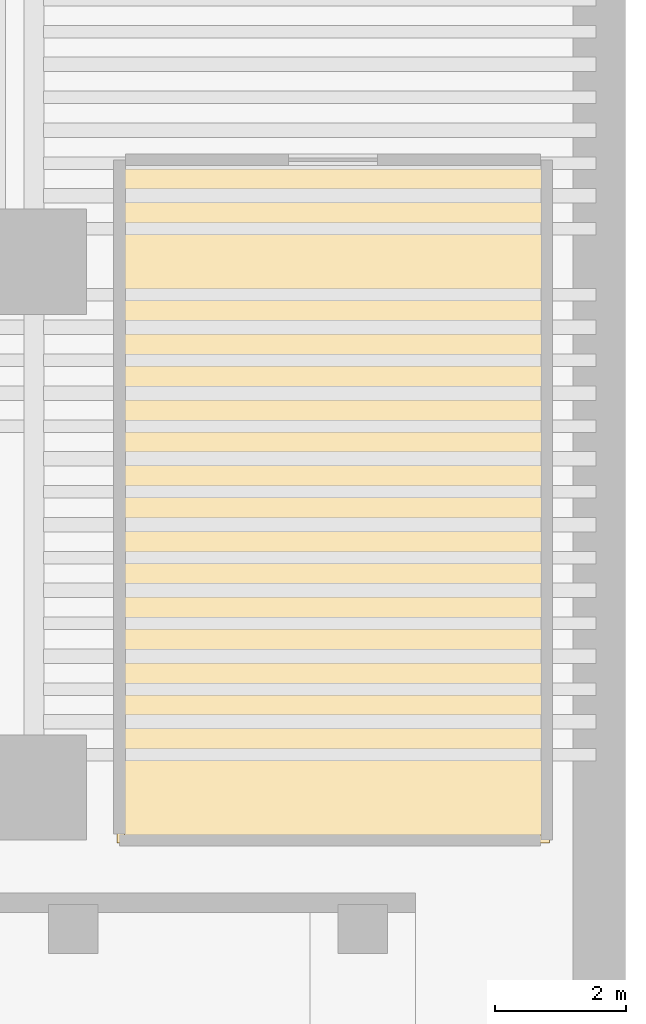
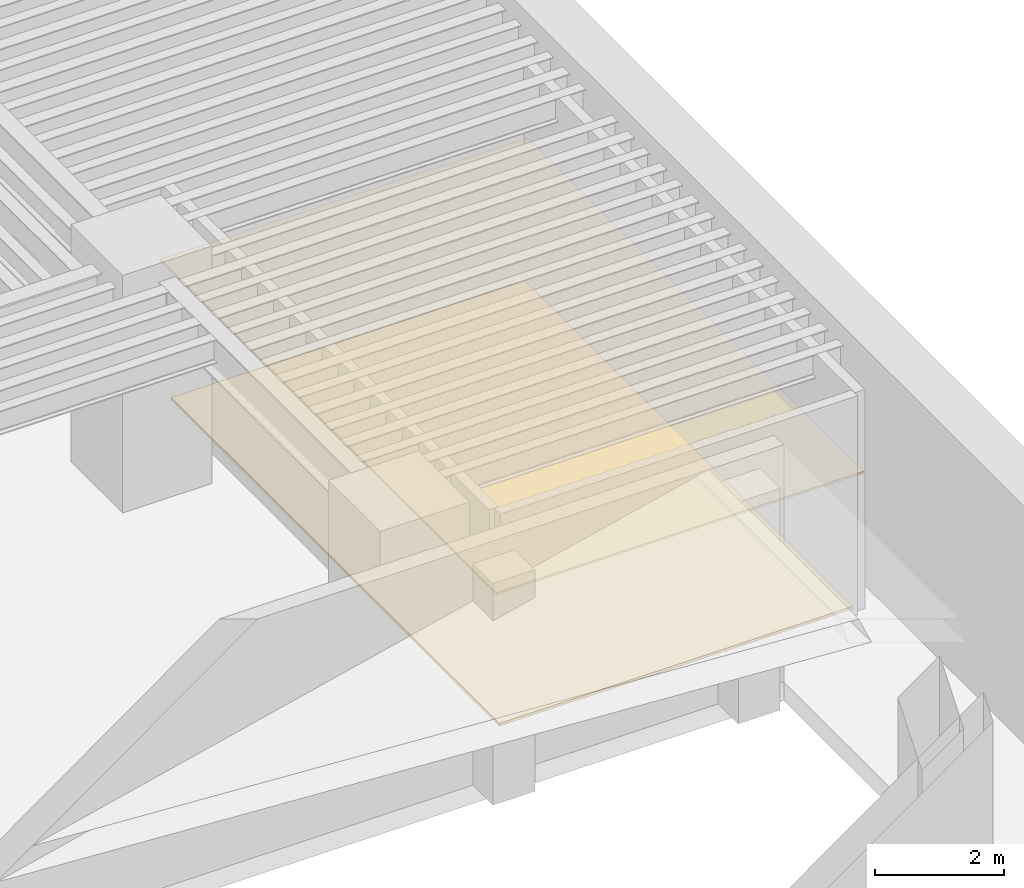
# One storey, part 7 of 9: 2 coverings.
"""IFC4 building model written with IfcOpenShell, lengths in metres."""

from ifc_helpers import new_model, si_unit, direction, frame, origin, place, context, subcontext, project, spatial, polyline, outline, extrude, material, layer, layer_set, type_object, element, save


model = new_model("IFC4")

# Units and contexts
model_context = context("Model", 3, precision=1e-05, world=origin(), true_north=direction((0.0, 1.0)))
body_context = subcontext(model_context, "Body", "Model", "MODEL_VIEW")
ifc_project = project(units=[si_unit("LENGTHUNIT", "METRE"), si_unit("AREAUNIT", "SQUARE_METRE"), si_unit("VOLUMEUNIT", "CUBIC_METRE"), si_unit("PLANEANGLEUNIT", "RADIAN"), si_unit("MASSUNIT", "GRAM", prefix="KILO")], contexts=[model_context])

# Site, building, storey
site_placement = place(None, origin())
site = spatial("IfcSite", under=ifc_project, at=site_placement, CompositionType="ELEMENT")
building_placement = place(site_placement, origin())
building = spatial("IfcBuilding", under=site, at=building_placement, Name="Caeloran Harvest Quay", CompositionType="ELEMENT")
storey_placement = place(building_placement, frame((0.0, 0.0, -9.0)))
storey = spatial("IfcBuildingStorey", under=building, at=storey_placement, Name="B02", CompositionType="ELEMENT", Elevation=-9.0)

# Coverings
ifc_material_1 = material(Name="Perforated Mineral-Fibre Acoustic Ceiling Tile", Category="ceiling")
ifc_layer_1 = layer(ifc_material_1, 0.0400390625, Name="Perforated Mineral-Fibre Acoustic Ceiling Tile")
ifc_layer_set_1 = layer_set([ifc_layer_1], Name="Perforated Mineral-Fibre Acoustic Ceiling Tile")
covering_type_1 = type_object("IfcCoveringType", Name="COV-CEILING-ACOUSTIC", PredefinedType="CEILING", material=ifc_layer_set_1)
covering_1_placement = place(storey_placement, frame((0.0, 0.0, 2.60009765625)))
element("IfcCovering", 1, at=covering_1_placement, inside=storey, type_object=covering_type_1, Name="Cold-Chain Glycol Refrigeration Plant Acoustic Ceiling", PredefinedType="CEILING", context=body_context, shape_type="SweptSolid", body=[
    extrude(outline(polyline([(58.840087890625, 24.590087890625), (58.840087890625, 14.159912109375), (52.260009765625, 14.159912109375), (52.260009765625, 24.590087890625), (58.840087890625, 24.590087890625)])), origin(), (0.0, 0.0, 1.0), 0.039794921875),
])
ifc_material_2 = material(Name="Calcium-Sulphate Raised Access Floor and Terrazzo Finish", Category="flooring")
ifc_layer_2 = layer(ifc_material_2, 0.050048828125, Name="Calcium-Sulphate Raised Access Floor and Terrazzo Finish")
ifc_layer_set_2 = layer_set([ifc_layer_2], Name="Calcium-Sulphate Raised Access Floor and Terrazzo Finish")
covering_type_2 = type_object("IfcCoveringType", Name="COV-FLOOR-RAISED", PredefinedType="FLOORING", material=ifc_layer_set_2)
covering_2_placement = place(storey_placement, origin())
element("IfcCovering", 2, at=covering_2_placement, inside=storey, type_object=covering_type_2, Name="Cold-Chain Glycol Refrigeration Plant Raised Finish Flooring", PredefinedType="FLOORING", context=body_context, shape_type="SweptSolid", body=[
    extrude(outline(polyline([(58.719970703125, 24.469970703125), (58.719970703125, 14.280029296875), (52.3798828125, 14.280029296875), (52.3798828125, 24.469970703125), (58.719970703125, 24.469970703125)])), origin(), (0.0, 0.0, 1.0), 0.050048828125),
])

save(model, "model.ifc")
